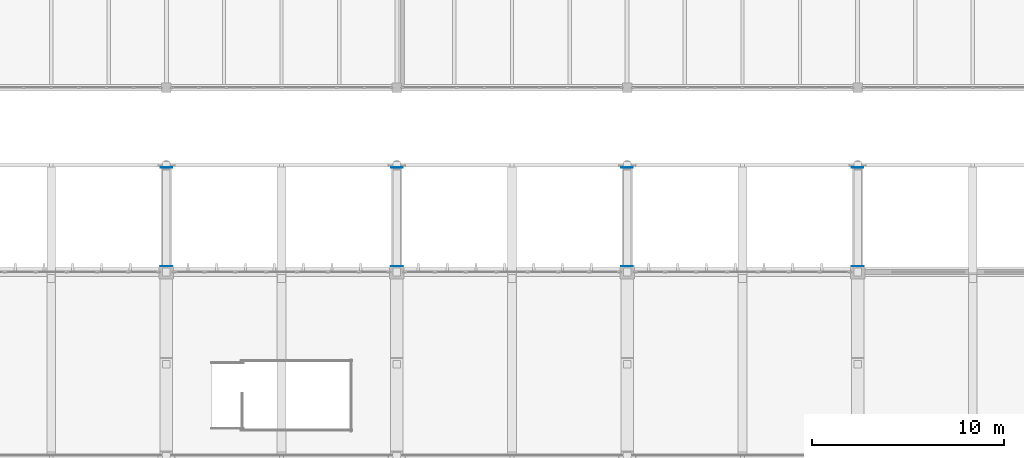
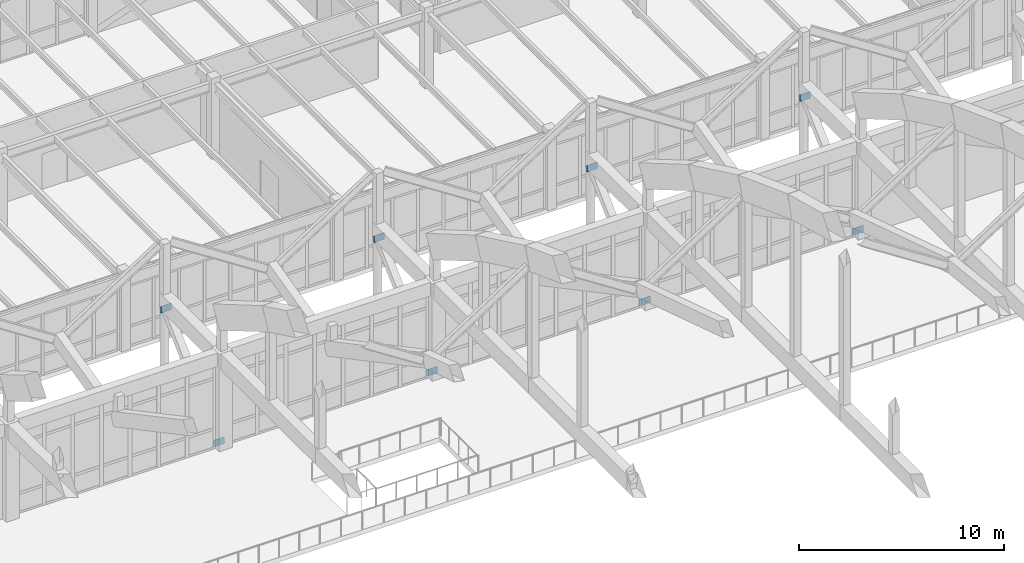
# One storey, part 213 of 236: 8 plates.
"""IFC4 building model written with IfcOpenShell, lengths in metres."""

from ifc_helpers import new_model, si_unit, direction, frame, origin, origin_2d, place, context, subcontext, project, spatial, rectangle, extrude, material, layer, layer_set, type_object, element, save


model = new_model("IFC4")

# Units and contexts
model_context = context("Model", 3, precision=1e-05, world=origin(), true_north=direction((0.0, 1.0)))
body_context = subcontext(model_context, "Body", "Model", "MODEL_VIEW")
ifc_project = project(units=[si_unit("LENGTHUNIT", "METRE"), si_unit("AREAUNIT", "SQUARE_METRE"), si_unit("VOLUMEUNIT", "CUBIC_METRE"), si_unit("PLANEANGLEUNIT", "RADIAN"), si_unit("MASSUNIT", "GRAM", prefix="KILO")], contexts=[model_context])

# Site, building, storey
site_placement = place(None, origin())
site = spatial("IfcSite", under=ifc_project, at=site_placement, CompositionType="ELEMENT")
building_placement = place(site_placement, origin())
building = spatial("IfcBuilding", under=site, at=building_placement, Name="Pandanus Reach Market Hall", CompositionType="ELEMENT")
storey_placement = place(building_placement, frame((0.0, 0.0, 5.39990234375)))
storey = spatial("IfcBuildingStorey", under=building, at=storey_placement, Name="L01", CompositionType="ELEMENT", Elevation=5.39990234375)

# Plates
ifc_material = material(Name="Steel Grade 350 (350 MPa)", Category="steel")
ifc_layer = layer(ifc_material, 0.02392578125, Name="GS-PL24")
ifc_layer_set = layer_set([ifc_layer], Name="Steel Grade 350 (350 MPa)")
plate_type = type_object("IfcPlateType", Name="GS-PL24", PredefinedType="SHEET", material=ifc_layer_set)
for number, where, z_axis, x_axis, name in (
    (1, (84.0, 86.699951171875, -0.14990234375), (0.0, 0.0, 1.0), (1.0, 0.0, 0.0), "Arcade splayed strut anchorage plate GS-PL24 4NA"),
    (2, (84.0, 91.85009765625, 4.7001953125), (0.0, 0.0, 1.0), (1.0, 0.0, 0.0), "Arcade splayed strut anchorage plate GS-PL24 4NB"),
    (3, (96.0, 86.699951171875, -0.14990234375), (0.0, 0.0, 1.0), (1.0, 0.0, 0.0), "Arcade splayed strut anchorage plate GS-PL24 5NA"),
    (4, (96.0, 91.85009765625, 4.7001953125), (0.0, 0.0, 1.0), (1.0, 0.0, 0.0), "Arcade splayed strut anchorage plate GS-PL24 5NB"),
    (5, (108.0, 86.699951171875, -0.14990234375), (0.0, 0.0, 1.0), (1.0, 0.0, 0.0), "Arcade splayed strut anchorage plate GS-PL24 6NA"),
    (6, (108.0, 91.85009765625, 4.7001953125), (0.0, 0.0, 1.0), (1.0, 0.0, 0.0), "Arcade splayed strut anchorage plate GS-PL24 6NB"),
    (7, (120.0, 86.699951171875, -0.14990234375), (0.0, 0.0, 1.0), (1.0, 0.0, 0.0), "Arcade splayed strut anchorage plate GS-PL24 7NA"),
    (8, (120.0, 91.85009765625, 4.7001953125), (0.0, 0.0, 1.0), (1.0, 0.0, 0.0), "Arcade splayed strut anchorage plate GS-PL24 7NB"),
):
    element("IfcPlate", number, at=place(storey_placement, frame(where, z_axis=z_axis, x_axis=x_axis)), inside=storey, type_object=plate_type, Name=name, PredefinedType="SHEET", context=body_context, shape_type="SweptSolid", body=[
        extrude(rectangle(XDim=0.60009765625, YDim=0.02392578125, at=origin_2d()), origin(), (0.0, 0.0, 1.0), 0.39990234375),
    ])

save(model, "model.ifc")
